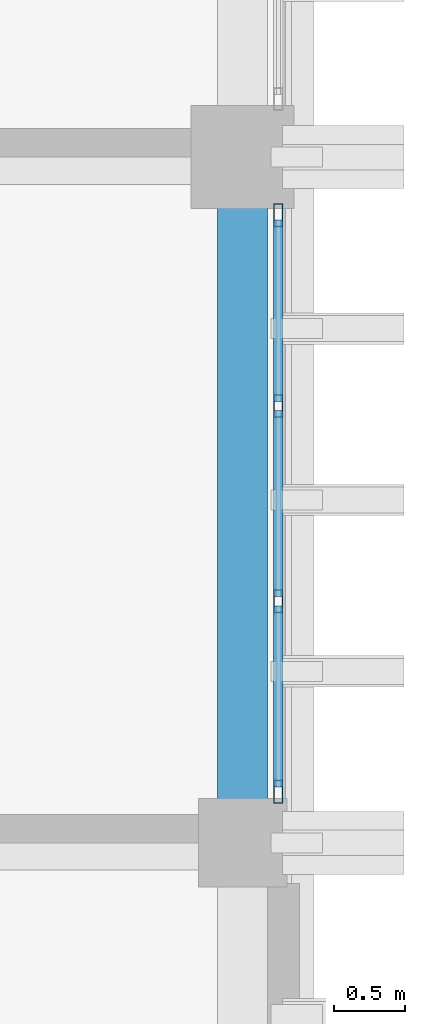
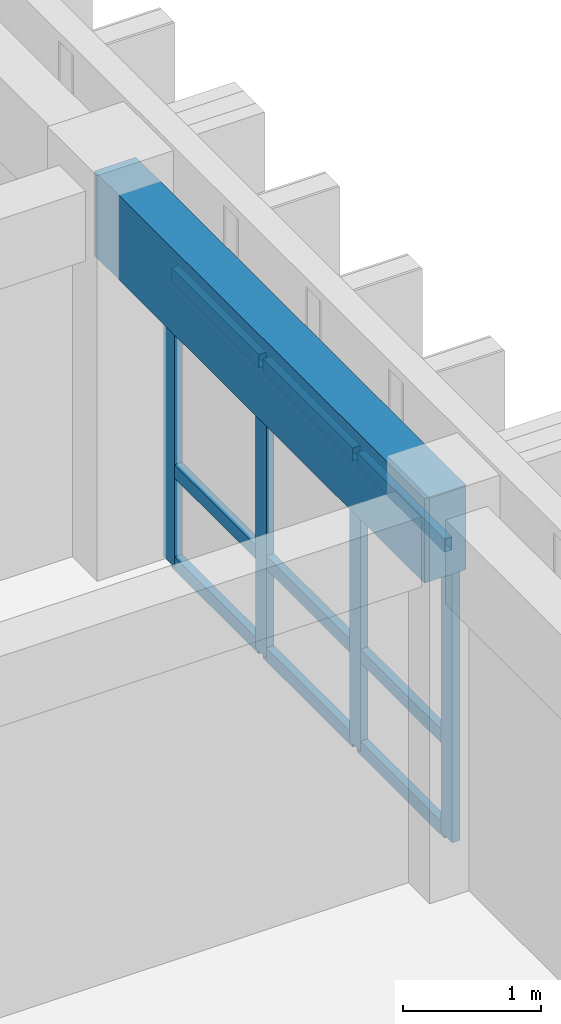
# One storey, part 14 of 59: 13 members, 1 beam, 1 element without a shape of its own.
"""IFC4 building model written with IfcOpenShell, lengths in metres."""

from ifc_helpers import new_model, si_unit, direction, frame, origin, origin_2d, place, context, subcontext, project, spatial, rectangle, hollow_rectangle, extrude, material, layer, layer_set, material_profile, profile_set, type_object, element, aggregate, save


model = new_model("IFC4")

# Units and contexts
model_context = context("Model", 3, precision=1e-05, world=origin(), true_north=direction((0.0, 1.0)))
body_context = subcontext(model_context, "Body", "Model", "MODEL_VIEW")
ifc_project = project(units=[si_unit("LENGTHUNIT", "METRE"), si_unit("AREAUNIT", "SQUARE_METRE"), si_unit("VOLUMEUNIT", "CUBIC_METRE"), si_unit("PLANEANGLEUNIT", "RADIAN"), si_unit("MASSUNIT", "GRAM", prefix="KILO")], contexts=[model_context])

# Site, building, storey
site_placement = place(None, origin())
site = spatial("IfcSite", under=ifc_project, at=site_placement, CompositionType="ELEMENT")
building_placement = place(site_placement, origin())
building = spatial("IfcBuilding", under=site, at=building_placement, Name="Nakhvara Creek Congress Hotel", CompositionType="ELEMENT")
storey_placement = place(building_placement, frame((0.0, 0.0, 31.800048828125)))
storey = spatial("IfcBuildingStorey", under=building, at=storey_placement, Name="L07", CompositionType="ELEMENT", Elevation=31.800048828125)

# Beam
ifc_material_1 = material(Name="Concrete C40/50", Category="concrete")
ifc_material_profile_1 = material_profile(ifc_material_1, rectangle(XDim=0.35009765625, YDim=0.75, at=origin_2d()), Name="RC-SPANDREL 350x750", Category="LoadBearing")
ifc_profile_set_1 = profile_set([ifc_material_profile_1], Name="Concrete C40/50")
beam_type = type_object("IfcBeamType", Name="BM-SPN-350X750", PredefinedType="SPANDREL", material=ifc_profile_set_1)
beam_placement = place(storey_placement, frame((179.35009765625, 62.39990234375, 2.98486328125), z_axis=(0.0, 1.0, 0.0), x_axis=(-1.0, 0.0, 0.0)))
element("IfcBeam", 1, at=beam_placement, inside=storey, type_object=beam_type, Name="Beam SP1-L07-2394", PredefinedType="SPANDREL", context=body_context, shape_type="SweptSolid", body=[
    extrude(rectangle(XDim=0.35009765625, YDim=0.75, at=origin_2d()), origin(), (0.0, 0.0, 1.0), 4.800048828125),
])

# Curtain wall, members
ifc_material_2 = material(Name="Bronze-anodised aluminium AW-6063-T6 and double-silver low-E glass", Category="aluminium")
ifc_layer = layer(ifc_material_2, 0.199951171875)
ifc_layer_set = layer_set([ifc_layer], Name="Bronze-anodised aluminium AW-6063-T6 and double-silver low-E glass")
curtain_wall_type = type_object("IfcCurtainWallType", Name="CW-HTL-UNIT", PredefinedType="USERDEFINED", material=ifc_layer_set)
curtain_wall_placement = place(storey_placement, origin())
curtain_wall = element("IfcCurtainWall", 2, at=curtain_wall_placement, inside=storey, type_object=curtain_wall_type, Name="Curtain Wall CW257", ObjectType="UNITISED", PredefinedType="USERDEFINED")
ifc_material_3 = material(Name="Bronze-anodised aluminium AW-6063-T6", Category="aluminium")
ifc_material_profile_2 = material_profile(ifc_material_3, hollow_rectangle(XDim=0.06494140625, YDim=0.159912109375, WallThickness=0.00390625, at=origin_2d()), Name="ALU-MULL 65x160x4", Category="LoadBearing")
ifc_profile_set_2 = profile_set([ifc_material_profile_2], Name="Bronze-anodised aluminium AW-6063-T6")
member_type_1 = type_object("IfcMemberType", Name="CW-MULL-160", PredefinedType="MULLION", material=ifc_profile_set_2)
member_1_placement = place(storey_placement, frame((179.60009765625, 66.79248046875, 0.0), z_axis=(0.0, 0.0, 1.0), x_axis=(1.0, 0.0, 0.0)))
member_1 = element("IfcMember", 3, at=member_1_placement, type_object=member_type_1, Name="CW257 mullion 1", PredefinedType="MULLION", context=body_context, shape_type="SweptSolid", body=[
    extrude(hollow_rectangle(XDim=0.06494140625, YDim=0.159912109375, WallThickness=0.00390625, at=origin_2d()), origin(), (0.0, 0.0, 1.0), 2.60205078125),
])
member_2_placement = place(storey_placement, frame((179.60009765625, 65.458251953125, 0.0), z_axis=(0.0, 0.0, 1.0), x_axis=(1.0, 0.0, 0.0)))
member_2 = element("IfcMember", 4, at=member_2_placement, type_object=member_type_1, Name="CW257 mullion 2", PredefinedType="MULLION", context=body_context, shape_type="SweptSolid", body=[
    extrude(hollow_rectangle(XDim=0.06494140625, YDim=0.159912109375, WallThickness=0.00390625, at=origin_2d()), origin(), (0.0, 0.0, 1.0), 2.60205078125),
])
member_3_placement = place(storey_placement, frame((179.60009765625, 64.091552734375, 0.0), z_axis=(0.0, 0.0, 1.0), x_axis=(1.0, 0.0, 0.0)))
member_3 = element("IfcMember", 5, at=member_3_placement, type_object=member_type_1, Name="CW257 mullion 3", PredefinedType="MULLION", context=body_context, shape_type="SweptSolid", body=[
    extrude(hollow_rectangle(XDim=0.06494140625, YDim=0.159912109375, WallThickness=0.00390625, at=origin_2d()), origin(), (0.0, 0.0, 1.0), 2.60205078125),
])
member_4_placement = place(storey_placement, frame((179.60009765625, 62.757568359375, 0.0), z_axis=(0.0, 0.0, 1.0), x_axis=(1.0, 0.0, 0.0)))
member_4 = element("IfcMember", 6, at=member_4_placement, type_object=member_type_1, Name="CW257 mullion 4", PredefinedType="MULLION", context=body_context, shape_type="SweptSolid", body=[
    extrude(hollow_rectangle(XDim=0.06494140625, YDim=0.159912109375, WallThickness=0.00390625, at=origin_2d()), origin(), (0.0, 0.0, 1.0), 2.60205078125),
])
ifc_material_profile_3 = material_profile(ifc_material_3, hollow_rectangle(XDim=0.06494140625, YDim=0.1201171875, WallThickness=0.00390625, at=origin_2d()), Name="ALU-TRAN 65x120x4", Category="LoadBearing")
ifc_profile_set_3 = profile_set([ifc_material_profile_3], Name="Bronze-anodised aluminium AW-6063-T6")
member_type_2 = type_object("IfcMemberType", Name="CW-TRAN-120", PredefinedType="USERDEFINED", material=ifc_profile_set_3)
member_5_placement = place(storey_placement, frame((179.60009765625, 66.760009765625, 0.032470703125), z_axis=(0.0, -1.0, 0.0), x_axis=(1.0, 0.0, 0.0)))
member_5 = element("IfcMember", 7, at=member_5_placement, type_object=member_type_2, Name="CW257 transom 1.1", ObjectType="TRANSOM", PredefinedType="USERDEFINED", context=body_context, shape_type="SweptSolid", body=[
    extrude(hollow_rectangle(XDim=0.06494140625, YDim=0.1201171875, WallThickness=0.00390625, at=origin_2d()), origin(), (0.0, 0.0, 1.0), 1.269287109375),
])
member_6_placement = place(storey_placement, frame((179.60009765625, 66.760009765625, 0.849853515625), z_axis=(0.0, -1.0, 0.0), x_axis=(1.0, 0.0, 0.0)))
member_6 = element("IfcMember", 8, at=member_6_placement, type_object=member_type_2, Name="CW257 transom 1.2", ObjectType="TRANSOM", PredefinedType="USERDEFINED", context=body_context, shape_type="SweptSolid", body=[
    extrude(hollow_rectangle(XDim=0.06494140625, YDim=0.1201171875, WallThickness=0.00390625, at=origin_2d()), origin(), (0.0, 0.0, 1.0), 1.269287109375),
])
member_7_placement = place(storey_placement, frame((179.60009765625, 66.760009765625, 2.5693359375), z_axis=(0.0, -1.0, 0.0), x_axis=(1.0, 0.0, 0.0)))
member_7 = element("IfcMember", 9, at=member_7_placement, type_object=member_type_2, Name="CW257 transom 1.3", ObjectType="TRANSOM", PredefinedType="USERDEFINED", context=body_context, shape_type="SweptSolid", body=[
    extrude(hollow_rectangle(XDim=0.06494140625, YDim=0.1201171875, WallThickness=0.00390625, at=origin_2d()), origin(), (0.0, 0.0, 1.0), 1.269287109375),
])
member_8_placement = place(storey_placement, frame((179.60009765625, 65.42578125, 0.032470703125), z_axis=(0.0, -1.0, 0.0), x_axis=(1.0, 0.0, 0.0)))
member_8 = element("IfcMember", 10, at=member_8_placement, type_object=member_type_2, Name="CW257 transom 2.1", ObjectType="TRANSOM", PredefinedType="USERDEFINED", context=body_context, shape_type="SweptSolid", body=[
    extrude(hollow_rectangle(XDim=0.06494140625, YDim=0.1201171875, WallThickness=0.00390625, at=origin_2d()), origin(), (0.0, 0.0, 1.0), 1.301513671875),
])
member_9_placement = place(storey_placement, frame((179.60009765625, 65.42578125, 0.849853515625), z_axis=(0.0, -1.0, 0.0), x_axis=(1.0, 0.0, 0.0)))
member_9 = element("IfcMember", 11, at=member_9_placement, type_object=member_type_2, Name="CW257 transom 2.2", ObjectType="TRANSOM", PredefinedType="USERDEFINED", context=body_context, shape_type="SweptSolid", body=[
    extrude(hollow_rectangle(XDim=0.06494140625, YDim=0.1201171875, WallThickness=0.00390625, at=origin_2d()), origin(), (0.0, 0.0, 1.0), 1.301513671875),
])
member_10_placement = place(storey_placement, frame((179.60009765625, 65.42578125, 2.5693359375), z_axis=(0.0, -1.0, 0.0), x_axis=(1.0, 0.0, 0.0)))
member_10 = element("IfcMember", 12, at=member_10_placement, type_object=member_type_2, Name="CW257 transom 2.3", ObjectType="TRANSOM", PredefinedType="USERDEFINED", context=body_context, shape_type="SweptSolid", body=[
    extrude(hollow_rectangle(XDim=0.06494140625, YDim=0.1201171875, WallThickness=0.00390625, at=origin_2d()), origin(), (0.0, 0.0, 1.0), 1.301513671875),
])
member_11_placement = place(storey_placement, frame((179.60009765625, 64.05908203125, 0.032470703125), z_axis=(0.0, -1.0, 0.0), x_axis=(1.0, 0.0, 0.0)))
member_11 = element("IfcMember", 13, at=member_11_placement, type_object=member_type_2, Name="CW257 transom 3.1", ObjectType="TRANSOM", PredefinedType="USERDEFINED", context=body_context, shape_type="SweptSolid", body=[
    extrude(hollow_rectangle(XDim=0.06494140625, YDim=0.1201171875, WallThickness=0.00390625, at=origin_2d()), origin(), (0.0, 0.0, 1.0), 1.26904296875),
])
member_12_placement = place(storey_placement, frame((179.60009765625, 64.05908203125, 0.849853515625), z_axis=(0.0, -1.0, 0.0), x_axis=(1.0, 0.0, 0.0)))
member_12 = element("IfcMember", 14, at=member_12_placement, type_object=member_type_2, Name="CW257 transom 3.2", ObjectType="TRANSOM", PredefinedType="USERDEFINED", context=body_context, shape_type="SweptSolid", body=[
    extrude(hollow_rectangle(XDim=0.06494140625, YDim=0.1201171875, WallThickness=0.00390625, at=origin_2d()), origin(), (0.0, 0.0, 1.0), 1.26904296875),
])
member_13_placement = place(storey_placement, frame((179.60009765625, 64.05908203125, 2.5693359375), z_axis=(0.0, -1.0, 0.0), x_axis=(1.0, 0.0, 0.0)))
member_13 = element("IfcMember", 15, at=member_13_placement, type_object=member_type_2, Name="CW257 transom 3.3", ObjectType="TRANSOM", PredefinedType="USERDEFINED", context=body_context, shape_type="SweptSolid", body=[
    extrude(hollow_rectangle(XDim=0.06494140625, YDim=0.1201171875, WallThickness=0.00390625, at=origin_2d()), origin(), (0.0, 0.0, 1.0), 1.26904296875),
])
aggregate(curtain_wall, [member_1, member_2, member_3, member_4, member_5, member_6, member_7, member_8, member_9, member_10, member_11, member_12, member_13])

save(model, "model.ifc")
